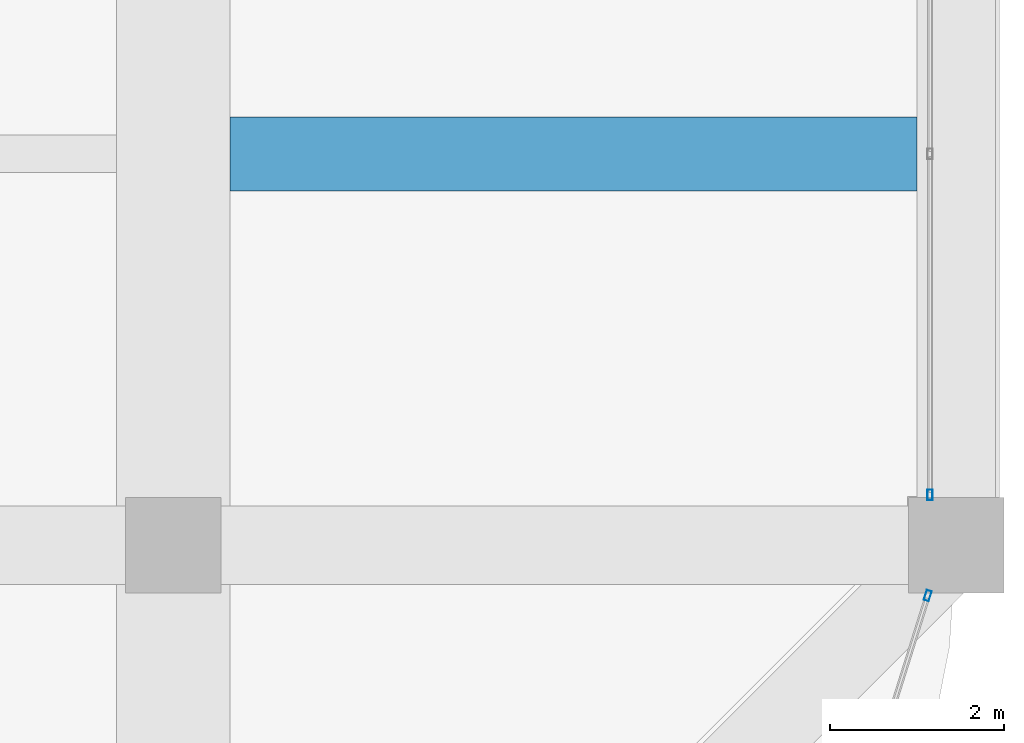
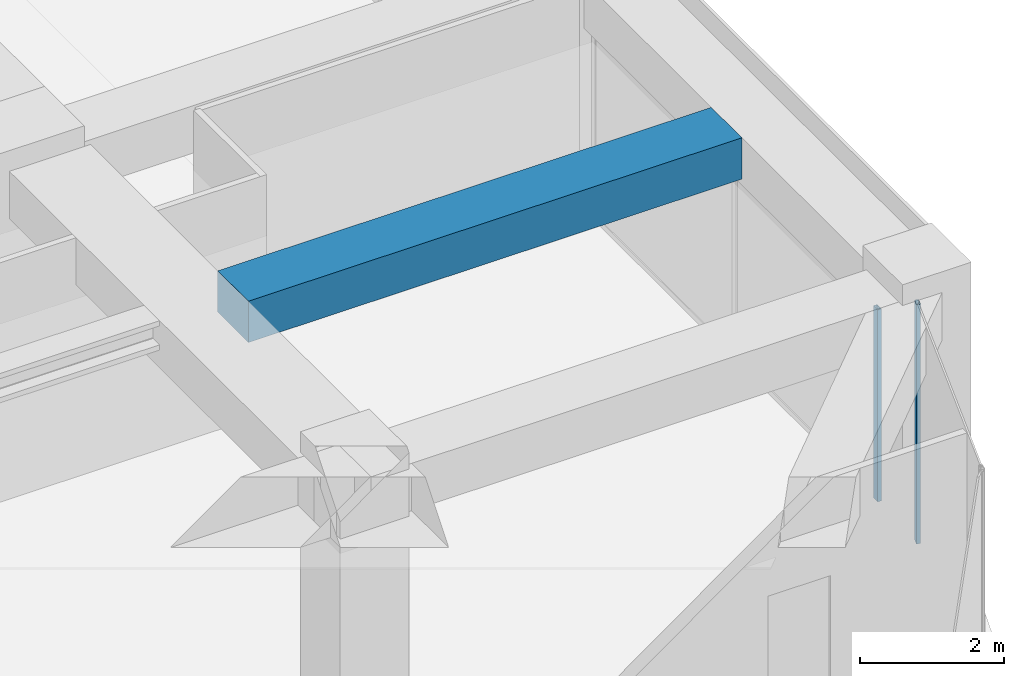
# One storey, part 22 of 44: 2 members, 1 beam, 2 elements without a shape of their own.
"""IFC4 building model written with IfcOpenShell, lengths in metres."""

from ifc_helpers import new_model, si_unit, direction, frame, origin, origin_2d, place, context, subcontext, project, spatial, rectangle, hollow_rectangle, extrude, material, material_profile, profile_set, type_object, element, aggregate, save


model = new_model("IFC4")

# Units and contexts
model_context = context("Model", 3, precision=1e-05, world=origin(), true_north=direction((0.0, 1.0)))
body_context = subcontext(model_context, "Body", "Model", "MODEL_VIEW")
ifc_project = project(units=[si_unit("LENGTHUNIT", "METRE"), si_unit("AREAUNIT", "SQUARE_METRE"), si_unit("VOLUMEUNIT", "CUBIC_METRE"), si_unit("PLANEANGLEUNIT", "RADIAN"), si_unit("MASSUNIT", "GRAM", prefix="KILO")], contexts=[model_context])

# Site, building, storey
site_placement = place(None, origin())
site = spatial("IfcSite", under=ifc_project, at=site_placement, CompositionType="ELEMENT")
building_placement = place(site_placement, origin())
building = spatial("IfcBuilding", under=site, at=building_placement, Name="Zorevar Civic Tower", CompositionType="ELEMENT")
storey_placement = place(building_placement, frame((0.0, 0.0, 307.39990234375)))
storey = spatial("IfcBuildingStorey", under=building, at=storey_placement, Name="L75", CompositionType="ELEMENT", Elevation=307.39990234375)

# Beam
ifc_material_1 = material(Name="Concrete C50/60", Category="concrete")
ifc_material_profile_1 = material_profile(ifc_material_1, rectangle(XDim=0.85009765625, YDim=0.699951171875, at=origin_2d()), Name="RC 850x700")
ifc_profile_set_1 = profile_set([ifc_material_profile_1], Name="Concrete C50/60")
beam_type = type_object("IfcBeamType", Name="Beam RC 850x700", PredefinedType="BEAM", material=ifc_profile_set_1)
beam_placement = place(storey_placement, frame((45.64990234375, 13.5, 3.7001953125), z_axis=(1.0, 0.0, 0.0), x_axis=(0.0, 1.0, 0.0)))
element("IfcBeam", 1, at=beam_placement, inside=storey, type_object=beam_type, Name="Secondary beam RF", PredefinedType="BEAM", context=body_context, shape_type="SweptSolid", body=[
    extrude(rectangle(XDim=0.85009765625, YDim=0.699951171875, at=origin_2d()), origin(), (0.0, 0.0, 1.0), 7.900146484375),
])

# Curtain wall, member
ifc_material_2 = material(Name="Dark grey solar-control glass in black aluminium frame", Category="aluminium")
curtain_wall_type = type_object("IfcCurtainWallType", Name="Curtain wall CW5 top zone", PredefinedType="NOTDEFINED", material=ifc_material_2)
curtain_wall_1_placement = place(storey_placement, origin())
curtain_wall_1 = element("IfcCurtainWall", 2, at=curtain_wall_1_placement, inside=storey, type_object=curtain_wall_type, Name="CW5 L75", PredefinedType="NOTDEFINED")
ifc_material_3 = material(Name="Aluminium, black anodised", Category="aluminium")
ifc_material_profile_2 = material_profile(ifc_material_3, hollow_rectangle(XDim=0.06005859375, YDim=0.1201171875, WallThickness=0.0029296875, at=origin_2d()), Name="AL 120x60x3")
ifc_profile_set_2 = profile_set([ifc_material_profile_2], Name="Aluminium, black anodised")
member_type = type_object("IfcMemberType", Name="CW5 mullion AL 120x60x3", PredefinedType="MULLION", material=ifc_profile_set_2)
member_1_placement = place(storey_placement, frame((53.699951171875, 9.580078125, 0.0), z_axis=(0.0, 0.0, 1.0), x_axis=(-1.0, 0.0, 0.0)))
member_1 = element("IfcMember", 3, at=member_1_placement, type_object=member_type, Name="CW5 mullion 1", PredefinedType="MULLION", context=body_context, shape_type="SweptSolid", body=[
    extrude(hollow_rectangle(XDim=0.06005859375, YDim=0.1201171875, WallThickness=0.0029296875, at=origin_2d()), origin(), (0.0, 0.0, 1.0), 3.25),
])
aggregate(curtain_wall_1, [member_1])

curtain_wall_2_placement = place(storey_placement, origin())
curtain_wall_2 = element("IfcCurtainWall", 4, at=curtain_wall_2_placement, inside=storey, type_object=curtain_wall_type, Name="CW5 L75", PredefinedType="NOTDEFINED")
member_2_placement = place(storey_placement, frame((53.673583984375, 8.42138671875, 0.0), z_axis=(0.0, 0.0, 1.0), x_axis=(-0.954153437674, 0.299317920238, 0.0)))
member_2 = element("IfcMember", 5, at=member_2_placement, type_object=member_type, Name="CW5 mullion 2", PredefinedType="MULLION", context=body_context, shape_type="SweptSolid", body=[
    extrude(hollow_rectangle(XDim=0.06005859375, YDim=0.1201171875, WallThickness=0.0029296875, at=origin_2d()), origin(), (0.0, 0.0, 1.0), 4.050048828125),
])
aggregate(curtain_wall_2, [member_2])

save(model, "model.ifc")
